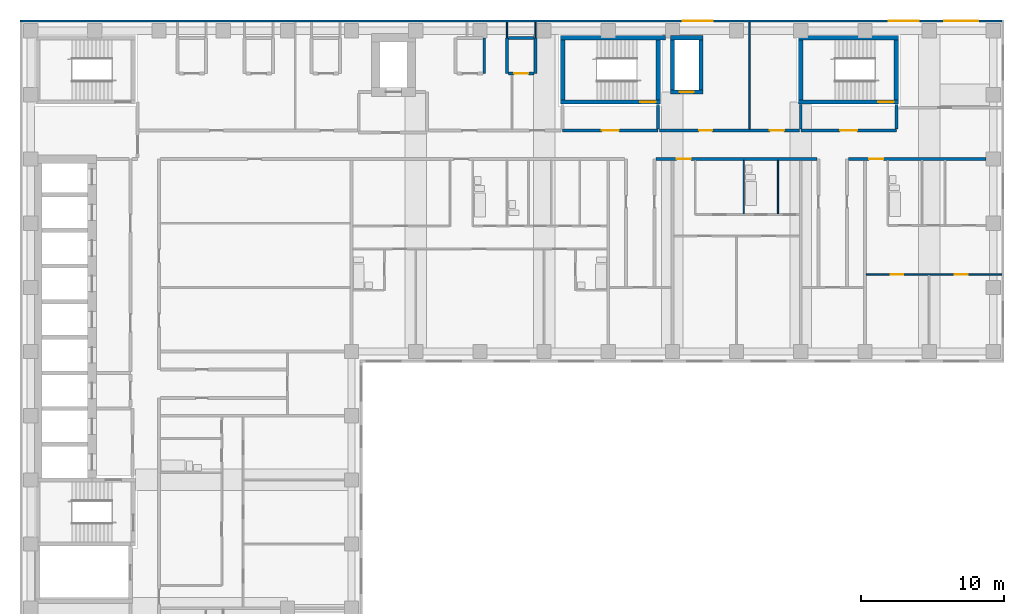
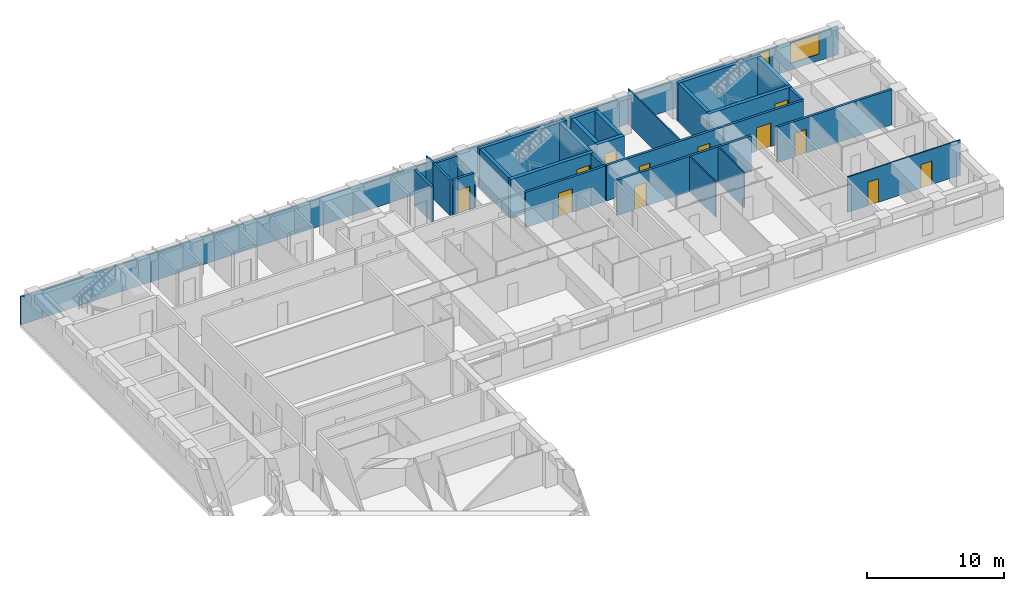
# One storey, part 8 of 12: 32 walls, 12 doors, 3 windows, 15 openings.
"""IFC4 building model written with IfcOpenShell, lengths in metres."""

from ifc_helpers import new_model, si_unit, direction, frame, frame_2d, origin, place, context, subcontext, project, spatial, rectangle, extrude, material, layer, layer_set, type_object, element, fill, save


model = new_model("IFC4")

# Units and contexts
model_context = context("Model", 3, precision=1e-05, world=origin(), true_north=direction((0.0, 1.0)))
body_context = subcontext(model_context, "Body", "Model", "MODEL_VIEW")
ifc_project = project(units=[si_unit("LENGTHUNIT", "METRE"), si_unit("AREAUNIT", "SQUARE_METRE"), si_unit("VOLUMEUNIT", "CUBIC_METRE"), si_unit("PLANEANGLEUNIT", "RADIAN"), si_unit("MASSUNIT", "GRAM", prefix="KILO")], contexts=[model_context])

# Site, building, storey
site_placement = place(None, origin())
site = spatial("IfcSite", under=ifc_project, at=site_placement, CompositionType="ELEMENT")
building_placement = place(site_placement, origin())
building = spatial("IfcBuilding", under=site, at=building_placement, Name="Firuza Court", CompositionType="ELEMENT")
storey_placement = place(building_placement, frame((0.0, 0.0, 170.0)))
storey = spatial("IfcBuildingStorey", under=building, at=storey_placement, Name="L43", CompositionType="ELEMENT", Elevation=170.0)

# Walls
ifc_material_1 = material(Name="Moisture-resistant gypsum board partition")
ifc_layer_1 = layer(ifc_material_1, 0.10009765625)
ifc_layer_set_1 = layer_set([ifc_layer_1], Name="Moisture-resistant gypsum board partition")
wall_type_1 = type_object("IfcWallType", Name="Bathroom partition 100", PredefinedType="PLUMBINGWALL", material=ifc_layer_set_1)
for number, where, z_axis, x_axis, name in (
    (1, (50.0, 45.64990234375, 0.0), (0.0, 0.0, 1.0), (0.0, 1.0, 0.0), "Bathroom partition 100 L43"),
    (2, (52.39990234375, 45.64990234375, 0.0), (0.0, 0.0, 1.0), (0.0, 1.0, 0.0), "Bathroom partition 100 L43"),
):
    element("IfcWall", number, at=place(storey_placement, frame(where, z_axis=z_axis, x_axis=x_axis)), inside=storey, type_object=wall_type_1, Name=name, PredefinedType="PLUMBINGWALL", context=body_context, shape_type="SweptSolid", body=[
        extrude(rectangle(XDim=3.75, YDim=0.10009765625, at=frame_2d((1.875, 0.0))), origin(), (0.0, 0.0, 1.0), 3.14990234375),
    ])

# Wall, opening, door
ifc_material_2 = material(Name="Concrete C60/75", Category="concrete")
ifc_layer_2 = layer(ifc_material_2, 0.300048828125)
ifc_layer_set_2 = layer_set([ifc_layer_2], Name="Concrete C60/75")
wall_type_2 = type_object("IfcWallType", Name="Core wall 300 C60/75", PredefinedType="SHEAR", material=ifc_layer_set_2)
wall_1_placement = place(storey_placement, frame((37.14990234375, 53.5, -0.300048828125), z_axis=(0.0, 0.0, 1.0), x_axis=(1.0, 0.0, 0.0)))
wall_1 = element("IfcWall", 3, at=wall_1_placement, inside=storey, type_object=wall_type_2, Name="Core wall stair L43", PredefinedType="SHEAR", context=body_context, shape_type="SweptSolid", body=[
    extrude(rectangle(XDim=7.0, YDim=0.300048828125, at=frame_2d((3.5, 0.0))), origin(), (0.0, 0.0, 1.0), 3.449951171875),
])
opening_1_placement = place(wall_1_placement, frame((5.580078125, 0.0, 0.300048828125)))
opening_1 = element("IfcOpeningElement", 4, at=opening_1_placement, cuts=wall_1, Name="Opening D43012", PredefinedType="OPENING", context=body_context, shape_type="SweptSolid", body=[
    extrude(rectangle(XDim=1.10009765625, YDim=2.10009765625, at=frame_2d((0.550048828125, 1.050048828125))), frame((0.0, 0.162109375, 0.0), z_axis=(0.0, -1.0, 0.0), x_axis=(1.0, 0.0, 0.0)), (0.0, 0.0, 1.0), 0.323974609375),
])
ifc_material_3 = material(Name="Timber door leaf in hardwood frame", Category="wood")
door_type_1 = type_object("IfcDoorType", Name="Stair door 1100", OperationType="SINGLE_SWING_LEFT", PredefinedType="DOOR", material=ifc_material_3)
door_1_placement = place(opening_1_placement, origin())
door_1 = element("IfcDoor", 5, at=door_1_placement, inside=storey, type_object=door_type_1, Name="Stair door S1", OperationType="SINGLE_SWING_RIGHT", OverallHeight=2.10009765625, OverallWidth=1.10009765625, PredefinedType="DOOR", context=body_context, shape_type="SweptSolid", body=[
    extrude(rectangle(XDim=1.10009765625, YDim=2.10009765625, at=frame_2d((0.550048828125, 1.050048828125))), frame((0.0, 0.02490234375, 0.0), z_axis=(0.0, -1.0, 0.0), x_axis=(1.0, 0.0, 0.0)), (0.0, 0.0, 1.0), 0.050048828125),
])
fill(opening_1, door_1)

# Walls
wall_2_placement = place(storey_placement, frame((37.14990234375, 58.0, -0.300048828125), z_axis=(0.0, 0.0, 1.0), x_axis=(1.0, 0.0, 0.0)))
element("IfcWall", 6, at=wall_2_placement, inside=storey, type_object=wall_type_2, Name="Core wall stair L43", PredefinedType="SHEAR", context=body_context, shape_type="SweptSolid", body=[
    extrude(rectangle(XDim=7.35009765625, YDim=0.300048828125, at=frame_2d((3.675048828125, 0.0))), origin(), (0.0, 0.0, 1.0), 3.449951171875),
])
for number, where, z_axis, x_axis, name in (
    (7, (37.300048828125, 53.64990234375, -0.300048828125), (0.0, 0.0, 1.0), (0.0, 1.0, 0.0), "Core wall stair L43"),
    (8, (44.0, 53.64990234375, -0.300048828125), (0.0, 0.0, 1.0), (0.0, 1.0, 0.0), "Core wall stair L43"),
):
    element("IfcWall", number, at=place(storey_placement, frame(where, z_axis=z_axis, x_axis=x_axis)), inside=storey, type_object=wall_type_2, Name=name, PredefinedType="SHEAR", context=body_context, shape_type="SweptSolid", body=[
        extrude(rectangle(XDim=4.2001953125, YDim=0.300048828125, at=frame_2d((2.10009765625, 0.0))), origin(), (0.0, 0.0, 1.0), 3.449951171875),
    ])

# Wall, opening, door
wall_3_placement = place(storey_placement, frame((44.85009765625, 54.199951171875, -0.300048828125), z_axis=(0.0, 0.0, 1.0), x_axis=(1.0, 0.0, 0.0)))
wall_3 = element("IfcWall", 9, at=wall_3_placement, inside=storey, type_object=wall_type_2, Name="Core wall riser L43", PredefinedType="SHEAR", context=body_context, shape_type="SweptSolid", body=[
    extrude(rectangle(XDim=2.2998046875, YDim=0.300048828125, at=frame_2d((1.14990234375, 0.0))), origin(), (0.0, 0.0, 1.0), 3.449951171875),
])
opening_2_placement = place(wall_3_placement, frame((0.64990234375, 0.0, 0.300048828125)))
opening_2 = element("IfcOpeningElement", 10, at=opening_2_placement, cuts=wall_3, Name="Opening D43010", PredefinedType="OPENING", context=body_context, shape_type="SweptSolid", body=[
    extrude(rectangle(XDim=1.0, YDim=2.10009765625, at=frame_2d((0.5, 1.050048828125))), frame((0.0, 0.162109375, 0.0), z_axis=(0.0, -1.0, 0.0), x_axis=(1.0, 0.0, 0.0)), (0.0, 0.0, 1.0), 0.323974609375),
])
ifc_material_4 = material(Name="Timber door leaf in hardwood frame", Category="wood")
door_type_2 = type_object("IfcDoorType", Name="Riser door 1000", OperationType="SINGLE_SWING_LEFT", PredefinedType="DOOR", material=ifc_material_4)
door_2_placement = place(opening_2_placement, origin())
door_2 = element("IfcDoor", 11, at=door_2_placement, inside=storey, type_object=door_type_2, Name="Riser door R3", OperationType="SINGLE_SWING_LEFT", OverallHeight=2.10009765625, OverallWidth=1.0, PredefinedType="DOOR", context=body_context, shape_type="SweptSolid", body=[
    extrude(rectangle(XDim=1.0, YDim=2.10009765625, at=frame_2d((0.5, 1.050048828125))), frame((0.0, 0.02490234375, 0.0), z_axis=(0.0, -1.0, 0.0), x_axis=(1.0, 0.0, 0.0)), (0.0, 0.0, 1.0), 0.050048828125),
])
fill(opening_2, door_2)

# Walls
wall_4_placement = place(storey_placement, frame((44.85009765625, 58.0, -0.300048828125), z_axis=(0.0, 0.0, 1.0), x_axis=(1.0, 0.0, 0.0)))
element("IfcWall", 12, at=wall_4_placement, inside=storey, type_object=wall_type_2, Name="Core wall riser L43", PredefinedType="SHEAR", context=body_context, shape_type="SweptSolid", body=[
    extrude(rectangle(XDim=2.2998046875, YDim=0.300048828125, at=frame_2d((1.14990234375, 0.0))), origin(), (0.0, 0.0, 1.0), 3.449951171875),
])
for number, where, z_axis, x_axis, name in (
    (13, (45.0, 54.35009765625, -0.300048828125), (0.0, 0.0, 1.0), (0.0, 1.0, 0.0), "Core wall riser L43"),
    (14, (47.0, 54.35009765625, -0.300048828125), (0.0, 0.0, 1.0), (0.0, 1.0, 0.0), "Core wall riser L43"),
):
    element("IfcWall", number, at=place(storey_placement, frame(where, z_axis=z_axis, x_axis=x_axis)), inside=storey, type_object=wall_type_2, Name=name, PredefinedType="SHEAR", context=body_context, shape_type="SweptSolid", body=[
        extrude(rectangle(XDim=3.5, YDim=0.300048828125, at=frame_2d((1.75, 0.0))), origin(), (0.0, 0.0, 1.0), 3.449951171875),
    ])

# Wall, opening, door
wall_5_placement = place(storey_placement, frame((53.85009765625, 53.5, -0.300048828125), z_axis=(0.0, 0.0, 1.0), x_axis=(1.0, 0.0, 0.0)))
wall_5 = element("IfcWall", 15, at=wall_5_placement, inside=storey, type_object=wall_type_2, Name="Core wall stair L43", PredefinedType="SHEAR", context=body_context, shape_type="SweptSolid", body=[
    extrude(rectangle(XDim=7.0, YDim=0.300048828125, at=frame_2d((3.5, 0.0))), origin(), (0.0, 0.0, 1.0), 3.449951171875),
])
opening_3_placement = place(wall_5_placement, frame((5.580078125, 0.0, 0.300048828125)))
opening_3 = element("IfcOpeningElement", 16, at=opening_3_placement, cuts=wall_5, Name="Opening D43016", PredefinedType="OPENING", context=body_context, shape_type="SweptSolid", body=[
    extrude(rectangle(XDim=1.10009765625, YDim=2.10009765625, at=frame_2d((0.550048828125, 1.050048828125))), frame((0.0, 0.162109375, 0.0), z_axis=(0.0, -1.0, 0.0), x_axis=(1.0, 0.0, 0.0)), (0.0, 0.0, 1.0), 0.323974609375),
])
door_3_placement = place(opening_3_placement, origin())
door_3 = element("IfcDoor", 17, at=door_3_placement, inside=storey, type_object=door_type_1, Name="Stair door S4", OperationType="SINGLE_SWING_RIGHT", OverallHeight=2.10009765625, OverallWidth=1.10009765625, PredefinedType="DOOR", context=body_context, shape_type="SweptSolid", body=[
    extrude(rectangle(XDim=1.10009765625, YDim=2.10009765625, at=frame_2d((0.550048828125, 1.050048828125))), frame((0.0, 0.02490234375, 0.0), z_axis=(0.0, -1.0, 0.0), x_axis=(1.0, 0.0, 0.0)), (0.0, 0.0, 1.0), 0.050048828125),
])
fill(opening_3, door_3)

# Walls
wall_6_placement = place(storey_placement, frame((53.85009765625, 58.0, -0.300048828125), z_axis=(0.0, 0.0, 1.0), x_axis=(1.0, 0.0, 0.0)))
element("IfcWall", 18, at=wall_6_placement, inside=storey, type_object=wall_type_2, Name="Core wall stair L43", PredefinedType="SHEAR", context=body_context, shape_type="SweptSolid", body=[
    extrude(rectangle(XDim=7.0, YDim=0.300048828125, at=frame_2d((3.5, 0.0))), origin(), (0.0, 0.0, 1.0), 3.449951171875),
])
for number, where, z_axis, x_axis, name in (
    (19, (54.0, 53.64990234375, -0.300048828125), (0.0, 0.0, 1.0), (0.0, 1.0, 0.0), "Core wall stair L43"),
    (20, (60.699951171875, 53.64990234375, -0.300048828125), (0.0, 0.0, 1.0), (0.0, 1.0, 0.0), "Core wall stair L43"),
):
    element("IfcWall", number, at=place(storey_placement, frame(where, z_axis=z_axis, x_axis=x_axis)), inside=storey, type_object=wall_type_2, Name=name, PredefinedType="SHEAR", context=body_context, shape_type="SweptSolid", body=[
        extrude(rectangle(XDim=4.2001953125, YDim=0.300048828125, at=frame_2d((2.10009765625, 0.0))), origin(), (0.0, 0.0, 1.0), 3.449951171875),
    ])

# Wall, opening, door
ifc_material_5 = material(Name="Blockwork, plastered both sides", Category="masonry")
ifc_layer_3 = layer(ifc_material_5, 0.199951171875)
ifc_layer_set_3 = layer_set([ifc_layer_3], Name="Blockwork, plastered both sides")
wall_type_3 = type_object("IfcWallType", Name="Corridor wall 200", PredefinedType="PARTITIONING", material=ifc_layer_set_3)
wall_7_placement = place(storey_placement, frame((43.85009765625, 49.5, 0.0), z_axis=(0.0, 0.0, 1.0), x_axis=(1.0, 0.0, 0.0)))
wall_7 = element("IfcWall", 21, at=wall_7_placement, inside=storey, type_object=wall_type_3, Name="Corridor wall 200 L43", PredefinedType="PARTITIONING", context=body_context, shape_type="SweptSolid", body=[
    extrude(rectangle(XDim=11.2998046875, YDim=0.199951171875, at=frame_2d((5.64990234375, 0.0))), origin(), (0.0, 0.0, 1.0), 3.14990234375),
])
opening_4_placement = place(wall_7_placement, frame((1.449951171875, 0.0, 0.0)))
opening_4 = element("IfcOpeningElement", 22, at=opening_4_placement, cuts=wall_7, Name="Opening D43069", PredefinedType="OPENING", context=body_context, shape_type="SweptSolid", body=[
    extrude(rectangle(XDim=1.0, YDim=2.10009765625, at=frame_2d((0.5, 1.050048828125))), frame((0.0, 0.11181640625, 0.0), z_axis=(0.0, -1.0, 0.0), x_axis=(1.0, 0.0, 0.0)), (0.0, 0.0, 1.0), 0.223876953125),
])
ifc_material_6 = material(Name="Timber door leaf in hardwood frame", Category="wood")
door_type_3 = type_object("IfcDoorType", Name="Flat entrance door 1000", OperationType="SINGLE_SWING_LEFT", PredefinedType="DOOR", material=ifc_material_6)
door_4_placement = place(opening_4_placement, origin())
door_4 = element("IfcDoor", 23, at=door_4_placement, inside=storey, type_object=door_type_3, Name="Flat entrance door", OperationType="SINGLE_SWING_LEFT", OverallHeight=2.10009765625, OverallWidth=1.0, PredefinedType="DOOR", context=body_context, shape_type="SweptSolid", body=[
    extrude(rectangle(XDim=1.0, YDim=2.10009765625, at=frame_2d((0.5, 1.050048828125))), frame((0.0, 0.02490234375, 0.0), z_axis=(0.0, -1.0, 0.0), x_axis=(1.0, 0.0, 0.0)), (0.0, 0.0, 1.0), 0.050048828125),
])
fill(opening_4, door_4)

wall_8_placement = place(storey_placement, frame((57.35009765625, 49.5, 0.0), z_axis=(0.0, 0.0, 1.0), x_axis=(1.0, 0.0, 0.0)))
wall_8 = element("IfcWall", 24, at=wall_8_placement, inside=storey, type_object=wall_type_3, Name="Corridor wall 200 L43", PredefinedType="PARTITIONING", context=body_context, shape_type="SweptSolid", body=[
    extrude(rectangle(XDim=9.64990234375, YDim=0.199951171875, at=frame_2d((4.824951171875, 0.0))), origin(), (0.0, 0.0, 1.0), 3.14990234375),
])
opening_5_placement = place(wall_8_placement, frame((1.449951171875, 0.0, 0.0)))
opening_5 = element("IfcOpeningElement", 25, at=opening_5_placement, cuts=wall_8, Name="Opening D43070", PredefinedType="OPENING", context=body_context, shape_type="SweptSolid", body=[
    extrude(rectangle(XDim=1.0, YDim=2.10009765625, at=frame_2d((0.5, 1.050048828125))), frame((0.0, 0.11181640625, 0.0), z_axis=(0.0, -1.0, 0.0), x_axis=(1.0, 0.0, 0.0)), (0.0, 0.0, 1.0), 0.223876953125),
])
door_5_placement = place(opening_5_placement, origin())
door_5 = element("IfcDoor", 26, at=door_5_placement, inside=storey, type_object=door_type_3, Name="Flat entrance door", OperationType="SINGLE_SWING_LEFT", OverallHeight=2.10009765625, OverallWidth=1.0, PredefinedType="DOOR", context=body_context, shape_type="SweptSolid", body=[
    extrude(rectangle(XDim=1.0, YDim=2.10009765625, at=frame_2d((0.5, 1.050048828125))), frame((0.0, 0.02490234375, 0.0), z_axis=(0.0, -1.0, 0.0), x_axis=(1.0, 0.0, 0.0)), (0.0, 0.0, 1.0), 0.050048828125),
])
fill(opening_5, door_5)

# Wall, openings, doors
wall_9_placement = place(storey_placement, frame((44.10009765625, 51.5, 0.0), z_axis=(0.0, 0.0, 1.0), x_axis=(1.0, 0.0, 0.0)))
wall_9 = element("IfcWall", 27, at=wall_9_placement, inside=storey, type_object=wall_type_3, Name="Corridor wall 200 L43", PredefinedType="PARTITIONING", context=body_context, shape_type="SweptSolid", body=[
    extrude(rectangle(XDim=9.7998046875, YDim=0.199951171875, at=frame_2d((4.89990234375, 0.0))), origin(), (0.0, 0.0, 1.0), 3.14990234375),
])
opening_6_placement = place(wall_9_placement, frame((2.77490234375, 0.0, 0.0)))
opening_6 = element("IfcOpeningElement", 28, at=opening_6_placement, cuts=wall_9, Name="Opening D43075", PredefinedType="OPENING", context=body_context, shape_type="SweptSolid", body=[
    extrude(rectangle(XDim=0.89990234375, YDim=2.10009765625, at=frame_2d((0.449951171875, 1.050048828125))), frame((0.0, 0.11181640625, 0.0), z_axis=(0.0, -1.0, 0.0), x_axis=(1.0, 0.0, 0.0)), (0.0, 0.0, 1.0), 0.223876953125),
])
opening_7_placement = place(wall_9_placement, frame((7.72509765625, 0.0, 0.0)))
opening_7 = element("IfcOpeningElement", 29, at=opening_7_placement, cuts=wall_9, Name="Opening D43076", PredefinedType="OPENING", context=body_context, shape_type="SweptSolid", body=[
    extrude(rectangle(XDim=1.0, YDim=2.10009765625, at=frame_2d((0.5, 1.050048828125))), frame((0.0, 0.11181640625, 0.0), z_axis=(0.0, -1.0, 0.0), x_axis=(1.0, 0.0, 0.0)), (0.0, 0.0, 1.0), 0.223876953125),
])
ifc_material_7 = material(Name="Timber door leaf in hardwood frame", Category="wood")
door_type_4 = type_object("IfcDoorType", Name="Room door 900 EI 30", OperationType="SINGLE_SWING_LEFT", PredefinedType="DOOR", material=ifc_material_7)
door_6_placement = place(opening_6_placement, origin())
door_6 = element("IfcDoor", 30, at=door_6_placement, inside=storey, type_object=door_type_4, Name="Meeting room door", OperationType="SINGLE_SWING_LEFT", OverallHeight=2.10009765625, OverallWidth=0.89990234375, PredefinedType="DOOR", context=body_context, shape_type="SweptSolid", body=[
    extrude(rectangle(XDim=0.89990234375, YDim=2.10009765625, at=frame_2d((0.449951171875, 1.050048828125))), frame((0.0, 0.02490234375, 0.0), z_axis=(0.0, -1.0, 0.0), x_axis=(1.0, 0.0, 0.0)), (0.0, 0.0, 1.0), 0.050048828125),
])
fill(opening_6, door_6)
ifc_material_8 = material(Name="Timber door leaf in hardwood frame", Category="wood")
door_type_5 = type_object("IfcDoorType", Name="Store door 1000", OperationType="SINGLE_SWING_LEFT", PredefinedType="DOOR", material=ifc_material_8)
door_7_placement = place(opening_7_placement, origin())
door_7 = element("IfcDoor", 31, at=door_7_placement, inside=storey, type_object=door_type_5, Name="Cleaner's store door", OperationType="SINGLE_SWING_LEFT", OverallHeight=2.10009765625, OverallWidth=1.0, PredefinedType="DOOR", context=body_context, shape_type="SweptSolid", body=[
    extrude(rectangle(XDim=1.0, YDim=2.10009765625, at=frame_2d((0.5, 1.050048828125))), frame((0.0, 0.02490234375, 0.0), z_axis=(0.0, -1.0, 0.0), x_axis=(1.0, 0.0, 0.0)), (0.0, 0.0, 1.0), 0.050048828125),
])
fill(opening_7, door_7)

ifc_material_9 = material(Name="Timber stud partition, plasterboard both sides", Category="wood")
ifc_layer_4 = layer(ifc_material_9, 0.10009765625)
ifc_layer_set_4 = layer_set([ifc_layer_4], Name="Timber stud partition, plasterboard both sides")
wall_type_4 = type_object("IfcWallType", Name="Partition wall 100", PredefinedType="PARTITIONING", material=ifc_layer_set_4)
wall_10_placement = place(storey_placement, frame((58.60009765625, 41.39990234375, 0.0), z_axis=(0.0, 0.0, 1.0), x_axis=(1.0, 0.0, 0.0)))
wall_10 = element("IfcWall", 32, at=wall_10_placement, inside=storey, type_object=wall_type_4, Name="Partition wall 100 L43", PredefinedType="PARTITIONING", context=body_context, shape_type="SweptSolid", body=[
    extrude(rectangle(XDim=9.5, YDim=0.10009765625, at=frame_2d((4.75, 0.0))), origin(), (0.0, 0.0, 1.0), 3.14990234375),
])
opening_8_placement = place(wall_10_placement, frame((1.699951171875, 0.0, 0.0)))
opening_8 = element("IfcOpeningElement", 33, at=opening_8_placement, cuts=wall_10, Name="Opening D43048", PredefinedType="OPENING", context=body_context, shape_type="SweptSolid", body=[
    extrude(rectangle(XDim=0.89990234375, YDim=2.10009765625, at=frame_2d((0.449951171875, 1.050048828125))), frame((0.0, 0.06201171875, 0.0), z_axis=(0.0, -1.0, 0.0), x_axis=(1.0, 0.0, 0.0)), (0.0, 0.0, 1.0), 0.1240234375),
])
opening_9_placement = place(wall_10_placement, frame((6.199951171875, 0.0, 0.0)))
opening_9 = element("IfcOpeningElement", 34, at=opening_9_placement, cuts=wall_10, Name="Opening D43049", PredefinedType="OPENING", context=body_context, shape_type="SweptSolid", body=[
    extrude(rectangle(XDim=0.89990234375, YDim=2.10009765625, at=frame_2d((0.449951171875, 1.050048828125))), frame((0.0, 0.06201171875, 0.0), z_axis=(0.0, -1.0, 0.0), x_axis=(1.0, 0.0, 0.0)), (0.0, 0.0, 1.0), 0.1240234375),
])
ifc_material_10 = material(Name="Timber door leaf in hardwood frame", Category="wood")
door_type_6 = type_object("IfcDoorType", Name="Room door 900", OperationType="SINGLE_SWING_LEFT", PredefinedType="DOOR", material=ifc_material_10)
door_8_placement = place(opening_8_placement, frame((0.89990234375, 0.0, 0.0), z_axis=(0.0, 0.0, 1.0), x_axis=(-1.0, 0.0, 0.0)))
door_8 = element("IfcDoor", 35, at=door_8_placement, inside=storey, type_object=door_type_6, Name="Living room door", OperationType="SINGLE_SWING_RIGHT", OverallHeight=2.10009765625, OverallWidth=0.89990234375, PredefinedType="DOOR", context=body_context, shape_type="SweptSolid", body=[
    extrude(rectangle(XDim=0.89990234375, YDim=2.10009765625, at=frame_2d((0.449951171875, 1.050048828125))), frame((0.0, 0.02490234375, 0.0), z_axis=(0.0, -1.0, 0.0), x_axis=(1.0, 0.0, 0.0)), (0.0, 0.0, 1.0), 0.050048828125),
])
fill(opening_8, door_8)
door_9_placement = place(opening_9_placement, frame((0.89990234375, 0.0, 0.0), z_axis=(0.0, 0.0, 1.0), x_axis=(-1.0, 0.0, 0.0)))
door_9 = element("IfcDoor", 36, at=door_9_placement, inside=storey, type_object=door_type_6, Name="Bedroom door", OperationType="SINGLE_SWING_RIGHT", OverallHeight=2.10009765625, OverallWidth=0.89990234375, PredefinedType="DOOR", context=body_context, shape_type="SweptSolid", body=[
    extrude(rectangle(XDim=0.89990234375, YDim=2.10009765625, at=frame_2d((0.449951171875, 1.050048828125))), frame((0.0, 0.02490234375, 0.0), z_axis=(0.0, -1.0, 0.0), x_axis=(1.0, 0.0, 0.0)), (0.0, 0.0, 1.0), 0.050048828125),
])
fill(opening_9, door_9)

# Walls
wall_11_placement = place(storey_placement, frame((50.39990234375, 51.60009765625, 0.0), z_axis=(0.0, 0.0, 1.0), x_axis=(0.0, 1.0, 0.0)))
element("IfcWall", 37, at=wall_11_placement, inside=storey, type_object=wall_type_4, Name="Partition wall 100 L43", PredefinedType="PARTITIONING", context=body_context, shape_type="SweptSolid", body=[
    extrude(rectangle(XDim=7.5, YDim=0.10009765625, at=frame_2d((3.75, 0.0))), origin(), (0.0, 0.0, 1.0), 3.14990234375),
])
wall_12_placement = place(storey_placement, frame((33.39990234375, 58.0, 0.0), z_axis=(0.0, 0.0, 1.0), x_axis=(0.0, 1.0, 0.0)))
element("IfcWall", 38, at=wall_12_placement, inside=storey, type_object=wall_type_4, Name="Partition wall 100 L43", PredefinedType="PARTITIONING", context=body_context, shape_type="SweptSolid", body=[
    extrude(rectangle(XDim=1.10009765625, YDim=0.10009765625, at=frame_2d((0.550048828125, 0.0))), origin(), (0.0, 0.0, 1.0), 3.14990234375),
])
wall_13_placement = place(storey_placement, frame((35.39990234375, 58.0, 0.0), z_axis=(0.0, 0.0, 1.0), x_axis=(0.0, 1.0, 0.0)))
element("IfcWall", 39, at=wall_13_placement, inside=storey, type_object=wall_type_4, Name="Partition wall 100 L43", PredefinedType="PARTITIONING", context=body_context, shape_type="SweptSolid", body=[
    extrude(rectangle(XDim=1.10009765625, YDim=0.10009765625, at=frame_2d((0.550048828125, 0.0))), origin(), (0.0, 0.0, 1.0), 2.25),
])
ifc_material_11 = material(Name="Blockwork, fire-rated", Category="masonry")
ifc_layer_5 = layer(ifc_material_11, 0.199951171875)
ifc_layer_set_5 = layer_set([ifc_layer_5], Name="Blockwork, fire-rated")
wall_type_5 = type_object("IfcWallType", Name="Plant room wall 200", PredefinedType="PARTITIONING", material=ifc_layer_set_5)
for number, where, z_axis, x_axis, name in (
    (40, (31.800048828125, 55.5, 0.0), (0.0, 0.0, 1.0), (0.0, 1.0, 0.0), "Plant room wall 200 L43"),
    (41, (33.39990234375, 55.5, 0.0), (0.0, 0.0, 1.0), (0.0, 1.0, 0.0), "Plant room wall 200 L43"),
):
    element("IfcWall", number, at=place(storey_placement, frame(where, z_axis=z_axis, x_axis=x_axis)), inside=storey, type_object=wall_type_5, Name=name, PredefinedType="PARTITIONING", context=body_context, shape_type="SweptSolid", body=[
        extrude(rectangle(XDim=2.5, YDim=0.199951171875, at=frame_2d((1.25, 0.0))), origin(), (0.0, 0.0, 1.0), 3.14990234375),
    ])

# Wall, opening, door
wall_14_placement = place(storey_placement, frame((33.5, 55.5, 0.0), z_axis=(0.0, 0.0, 1.0), x_axis=(1.0, 0.0, 0.0)))
wall_14 = element("IfcWall", 42, at=wall_14_placement, inside=storey, type_object=wall_type_5, Name="Plant room wall 200 L43", PredefinedType="PARTITIONING", context=body_context, shape_type="SweptSolid", body=[
    extrude(rectangle(XDim=1.800048828125, YDim=0.199951171875, at=frame_2d((0.89990234375, 0.0))), origin(), (0.0, 0.0, 1.0), 3.14990234375),
])
opening_10_placement = place(wall_14_placement, frame((0.39990234375, 0.0, 0.0)))
opening_10 = element("IfcOpeningElement", 43, at=opening_10_placement, cuts=wall_14, Name="Opening D43082", PredefinedType="OPENING", context=body_context, shape_type="SweptSolid", body=[
    extrude(rectangle(XDim=1.0, YDim=2.10009765625, at=frame_2d((0.5, 1.050048828125))), frame((0.0, 0.11181640625, 0.0), z_axis=(0.0, -1.0, 0.0), x_axis=(1.0, 0.0, 0.0)), (0.0, 0.0, 1.0), 0.223876953125),
])
door_10_placement = place(opening_10_placement, origin())
door_10 = element("IfcDoor", 44, at=door_10_placement, inside=storey, type_object=door_type_2, Name="Duct riser door", OperationType="SINGLE_SWING_LEFT", OverallHeight=2.10009765625, OverallWidth=1.0, PredefinedType="DOOR", context=body_context, shape_type="SweptSolid", body=[
    extrude(rectangle(XDim=1.0, YDim=2.10009765625, at=frame_2d((0.5, 1.050048828125))), frame((0.0, 0.02490234375, 0.0), z_axis=(0.0, -1.0, 0.0), x_axis=(1.0, 0.0, 0.0)), (0.0, 0.0, 1.0), 0.050048828125),
])
fill(opening_10, door_10)

# Walls
wall_15_placement = place(storey_placement, frame((35.39990234375, 55.5, 0.0), z_axis=(0.0, 0.0, 1.0), x_axis=(0.0, 1.0, 0.0)))
element("IfcWall", 45, at=wall_15_placement, inside=storey, type_object=wall_type_5, Name="Plant room wall 200 L43", PredefinedType="PARTITIONING", context=body_context, shape_type="SweptSolid", body=[
    extrude(rectangle(XDim=2.5, YDim=0.199951171875, at=frame_2d((1.25, 0.0))), origin(), (0.0, 0.0, 1.0), 2.25),
])
wall_16_placement = place(storey_placement, frame((33.5, 58.0, 0.0), z_axis=(0.0, 0.0, 1.0), x_axis=(1.0, 0.0, 0.0)))
element("IfcWall", 46, at=wall_16_placement, inside=storey, type_object=wall_type_5, Name="Plant room wall 200 L43", PredefinedType="PARTITIONING", context=body_context, shape_type="SweptSolid", body=[
    extrude(rectangle(XDim=1.800048828125, YDim=0.199951171875, at=frame_2d((0.89990234375, 0.0))), origin(), (0.0, 0.0, 1.0), 3.14990234375),
])

# Wall, openings, windows
ifc_material_12 = material(Name="Ceramic tile", Category="ceramic")
ifc_layer_6 = layer(ifc_material_12, 0.02001953125)
ifc_material_13 = material(Name="Mineral wool insulation", Category="insulation")
ifc_layer_7 = layer(ifc_material_13, 0.050048828125)
ifc_material_14 = material(Name="Concrete C40/50 precast", Category="concrete")
ifc_layer_8 = layer(ifc_material_14, 0.080078125)
ifc_layer_set_6 = layer_set([ifc_layer_6, ifc_layer_7, ifc_layer_8], Name="Concrete C40/50 precast")
wall_type_6 = type_object("IfcWallType", Name="Precast cladding wall with turquoise TILE PANEL face 150", PredefinedType="STANDARD", material=ifc_layer_set_6)
wall_17_placement = place(storey_placement, frame((68.10009765625, 59.175048828125, 0.0), z_axis=(0.0, 0.0, 1.0), x_axis=(-1.0, 0.0, 0.0)))
wall_17 = element("IfcWall", 47, at=wall_17_placement, inside=storey, type_object=wall_type_6, Name="Facade wall L43 N", PredefinedType="STANDARD", context=body_context, shape_type="SweptSolid", body=[
    extrude(rectangle(XDim=68.85009765625, YDim=0.14990234375, at=frame_2d((34.425048828125, 0.0))), origin(), (0.0, 0.0, 1.0), 2.5),
])
opening_11_placement = place(wall_17_placement, frame((1.64990234375, 0.0, 0.60009765625)))
opening_11 = element("IfcOpeningElement", 48, at=opening_11_placement, cuts=wall_17, Name="Opening W1", PredefinedType="OPENING", context=body_context, shape_type="SweptSolid", body=[
    extrude(rectangle(XDim=2.39990234375, YDim=1.800048828125, at=frame_2d((1.199951171875, 0.89990234375))), frame((0.0, 0.0869140625, 0.0), z_axis=(0.0, -1.0, 0.0), x_axis=(1.0, 0.0, 0.0)), (0.0, 0.0, 1.0), 0.173828125),
])
opening_12_placement = place(wall_17_placement, frame((5.823486328125, 0.0, 0.60009765625)))
opening_12 = element("IfcOpeningElement", 49, at=opening_12_placement, cuts=wall_17, Name="Opening W6", PredefinedType="OPENING", context=body_context, shape_type="SweptSolid", body=[
    extrude(rectangle(XDim=2.10009765625, YDim=1.800048828125, at=frame_2d((1.050048828125, 0.89990234375))), frame((0.0, 0.0869140625, 0.0), z_axis=(0.0, -1.0, 0.0), x_axis=(1.0, 0.0, 0.0)), (0.0, 0.0, 1.0), 0.173828125),
])
opening_13_placement = place(wall_17_placement, frame((20.276611328125, 0.0, 0.60009765625)))
opening_13 = element("IfcOpeningElement", 50, at=opening_13_placement, cuts=wall_17, Name="Opening W6", PredefinedType="OPENING", context=body_context, shape_type="SweptSolid", body=[
    extrude(rectangle(XDim=2.10009765625, YDim=1.800048828125, at=frame_2d((1.050048828125, 0.89990234375))), frame((0.0, 0.0869140625, 0.0), z_axis=(0.0, -1.0, 0.0), x_axis=(1.0, 0.0, 0.0)), (0.0, 0.0, 1.0), 0.173828125),
])
ifc_material_15 = material(Name="Aluminium frame, triple clear glazing", Category="aluminium")
window_type_1 = type_object("IfcWindowType", Name="Window W1 2400 x 1800", PartitioningType="SINGLE_PANEL", PredefinedType="WINDOW", material=ifc_material_15)
window_1_placement = place(opening_11_placement, origin())
window_1 = element("IfcWindow", 51, at=window_1_placement, inside=storey, type_object=window_type_1, Name="Window L43", OverallHeight=1.800048828125, OverallWidth=2.39990234375, PartitioningType="SINGLE_PANEL", PredefinedType="WINDOW", context=body_context, shape_type="SweptSolid", body=[
    extrude(rectangle(XDim=2.39990234375, YDim=1.800048828125, at=frame_2d((1.199951171875, 0.89990234375))), frame((0.0, 0.030029296875, 0.0), z_axis=(0.0, -1.0, 0.0), x_axis=(1.0, 0.0, 0.0)), (0.0, 0.0, 1.0), 0.06005859375),
])
fill(opening_11, window_1)
ifc_material_16 = material(Name="Aluminium frame, triple clear glazing", Category="aluminium")
window_type_2 = type_object("IfcWindowType", Name="Window W6 2100 x 1800", PartitioningType="SINGLE_PANEL", PredefinedType="WINDOW", material=ifc_material_16)
window_2_placement = place(opening_12_placement, origin())
window_2 = element("IfcWindow", 52, at=window_2_placement, inside=storey, type_object=window_type_2, Name="Window L43", OverallHeight=1.800048828125, OverallWidth=2.10009765625, PartitioningType="SINGLE_PANEL", PredefinedType="WINDOW", context=body_context, shape_type="SweptSolid", body=[
    extrude(rectangle(XDim=2.10009765625, YDim=1.800048828125, at=frame_2d((1.050048828125, 0.89990234375))), frame((0.0, 0.030029296875, 0.0), z_axis=(0.0, -1.0, 0.0), x_axis=(1.0, 0.0, 0.0)), (0.0, 0.0, 1.0), 0.06005859375),
])
fill(opening_12, window_2)
window_3_placement = place(opening_13_placement, origin())
window_3 = element("IfcWindow", 53, at=window_3_placement, inside=storey, type_object=window_type_2, Name="Window L43", OverallHeight=1.800048828125, OverallWidth=2.10009765625, PartitioningType="SINGLE_PANEL", PredefinedType="WINDOW", context=body_context, shape_type="SweptSolid", body=[
    extrude(rectangle(XDim=2.10009765625, YDim=1.800048828125, at=frame_2d((1.050048828125, 0.89990234375))), frame((0.0, 0.030029296875, 0.0), z_axis=(0.0, -1.0, 0.0), x_axis=(1.0, 0.0, 0.0)), (0.0, 0.0, 1.0), 0.06005859375),
])
fill(opening_13, window_3)

# Wall, opening, door
ifc_layer_9 = layer(ifc_material_11, 0.199951171875)
ifc_layer_set_7 = layer_set([ifc_layer_9], Name="Blockwork, fire-rated")
wall_type_7 = type_object("IfcWallType", Name="Shaft wall 200", PredefinedType="PARTITIONING", material=ifc_layer_set_7)
wall_18_placement = place(storey_placement, frame((37.300048828125, 51.5, 0.0), z_axis=(0.0, 0.0, 1.0), x_axis=(1.0, 0.0, 0.0)))
wall_18 = element("IfcWall", 54, at=wall_18_placement, inside=storey, type_object=wall_type_7, Name="Shaft wall 200 L43", PredefinedType="PARTITIONING", context=body_context, shape_type="SweptSolid", body=[
    extrude(rectangle(XDim=6.699951171875, YDim=0.199951171875, at=frame_2d((3.35009765625, 0.0))), origin(), (0.0, 0.0, 1.0), 3.14990234375),
])
opening_14_placement = place(wall_18_placement, frame((2.75, 0.0, 0.0)))
opening_14 = element("IfcOpeningElement", 55, at=opening_14_placement, cuts=wall_18, Name="Opening D43006", PredefinedType="OPENING", context=body_context, shape_type="SweptSolid", body=[
    extrude(rectangle(XDim=1.199951171875, YDim=2.10009765625, at=frame_2d((0.60009765625, 1.050048828125))), frame((0.0, 0.11181640625, 0.0), z_axis=(0.0, -1.0, 0.0), x_axis=(1.0, 0.0, 0.0)), (0.0, 0.0, 1.0), 0.223876953125),
])
ifc_material_17 = material(Name="Timber door leaf in hardwood frame", Category="wood")
door_type_7 = type_object("IfcDoorType", Name="Lobby door 1200", OperationType="SINGLE_SWING_LEFT", PredefinedType="DOOR", material=ifc_material_17)
door_11_placement = place(opening_14_placement, origin())
door_11 = element("IfcDoor", 56, at=door_11_placement, inside=storey, type_object=door_type_7, Name="Lobby door", OperationType="SINGLE_SWING_LEFT", OverallHeight=2.10009765625, OverallWidth=1.199951171875, PredefinedType="DOOR", context=body_context, shape_type="SweptSolid", body=[
    extrude(rectangle(XDim=1.199951171875, YDim=2.10009765625, at=frame_2d((0.60009765625, 1.050048828125))), frame((0.0, 0.02490234375, 0.0), z_axis=(0.0, -1.0, 0.0), x_axis=(1.0, 0.0, 0.0)), (0.0, 0.0, 1.0), 0.050048828125),
])
fill(opening_14, door_11)

# Wall
wall_19_placement = place(storey_placement, frame((44.0, 51.60009765625, 0.0), z_axis=(0.0, 0.0, 1.0), x_axis=(0.0, 1.0, 0.0)))
element("IfcWall", 57, at=wall_19_placement, inside=storey, type_object=wall_type_7, Name="Shaft wall 200 L43", PredefinedType="PARTITIONING", context=body_context, shape_type="SweptSolid", body=[
    extrude(rectangle(XDim=1.72998046875, YDim=0.199951171875, at=frame_2d((0.864990234375, 0.0))), origin(), (0.0, 0.0, 1.0), 3.14990234375),
])

# Wall, opening, door
wall_20_placement = place(storey_placement, frame((54.0, 51.5, 0.0), z_axis=(0.0, 0.0, 1.0), x_axis=(1.0, 0.0, 0.0)))
wall_20 = element("IfcWall", 58, at=wall_20_placement, inside=storey, type_object=wall_type_7, Name="Shaft wall 200 L43", PredefinedType="PARTITIONING", context=body_context, shape_type="SweptSolid", body=[
    extrude(rectangle(XDim=6.699951171875, YDim=0.199951171875, at=frame_2d((3.35009765625, 0.0))), origin(), (0.0, 0.0, 1.0), 3.14990234375),
])
opening_15_placement = place(wall_20_placement, frame((2.75, 0.0, 0.0)))
opening_15 = element("IfcOpeningElement", 59, at=opening_15_placement, cuts=wall_20, Name="Opening D43007", PredefinedType="OPENING", context=body_context, shape_type="SweptSolid", body=[
    extrude(rectangle(XDim=1.199951171875, YDim=2.10009765625, at=frame_2d((0.60009765625, 1.050048828125))), frame((0.0, 0.11181640625, 0.0), z_axis=(0.0, -1.0, 0.0), x_axis=(1.0, 0.0, 0.0)), (0.0, 0.0, 1.0), 0.223876953125),
])
door_12_placement = place(opening_15_placement, origin())
door_12 = element("IfcDoor", 60, at=door_12_placement, inside=storey, type_object=door_type_7, Name="Lobby door", OperationType="SINGLE_SWING_LEFT", OverallHeight=2.10009765625, OverallWidth=1.199951171875, PredefinedType="DOOR", context=body_context, shape_type="SweptSolid", body=[
    extrude(rectangle(XDim=1.199951171875, YDim=2.10009765625, at=frame_2d((0.60009765625, 1.050048828125))), frame((0.0, 0.02490234375, 0.0), z_axis=(0.0, -1.0, 0.0), x_axis=(1.0, 0.0, 0.0)), (0.0, 0.0, 1.0), 0.050048828125),
])
fill(opening_15, door_12)

# Walls
wall_21_placement = place(storey_placement, frame((60.699951171875, 51.60009765625, 0.0), z_axis=(0.0, 0.0, 1.0), x_axis=(0.0, 1.0, 0.0)))
element("IfcWall", 61, at=wall_21_placement, inside=storey, type_object=wall_type_7, Name="Shaft wall 200 L43", PredefinedType="PARTITIONING", context=body_context, shape_type="SweptSolid", body=[
    extrude(rectangle(XDim=1.72998046875, YDim=0.199951171875, at=frame_2d((0.864990234375, 0.0))), origin(), (0.0, 0.0, 1.0), 3.14990234375),
])
wall_22_placement = place(storey_placement, frame((54.0, 51.60009765625, 0.0), z_axis=(0.0, 0.0, 1.0), x_axis=(0.0, 1.0, 0.0)))
element("IfcWall", 62, at=wall_22_placement, inside=storey, type_object=wall_type_7, Name="Shaft wall 200 L43", PredefinedType="PARTITIONING", context=body_context, shape_type="SweptSolid", body=[
    extrude(rectangle(XDim=1.72998046875, YDim=0.199951171875, at=frame_2d((0.864990234375, 0.0))), origin(), (0.0, 0.0, 1.0), 2.449951171875),
])

save(model, "model.ifc")
